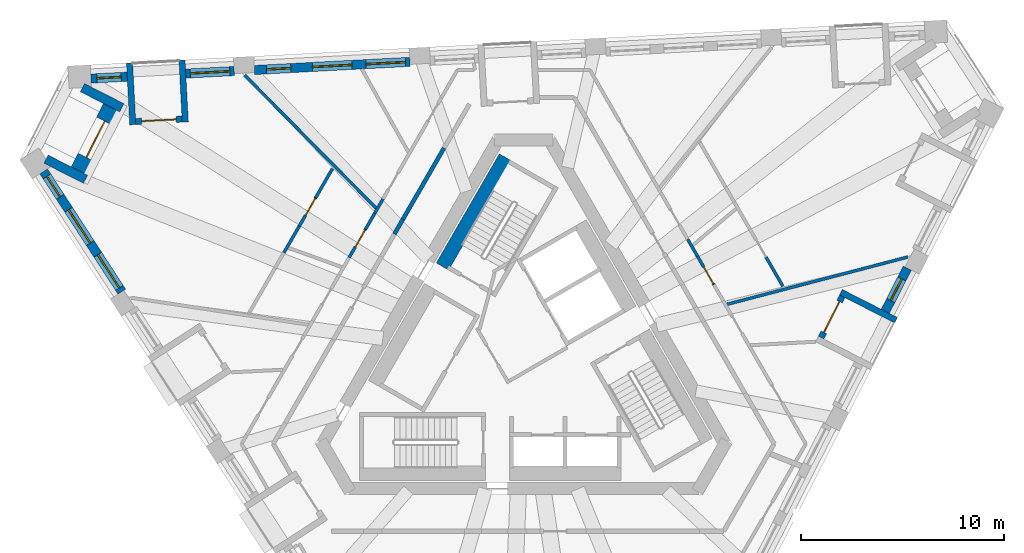
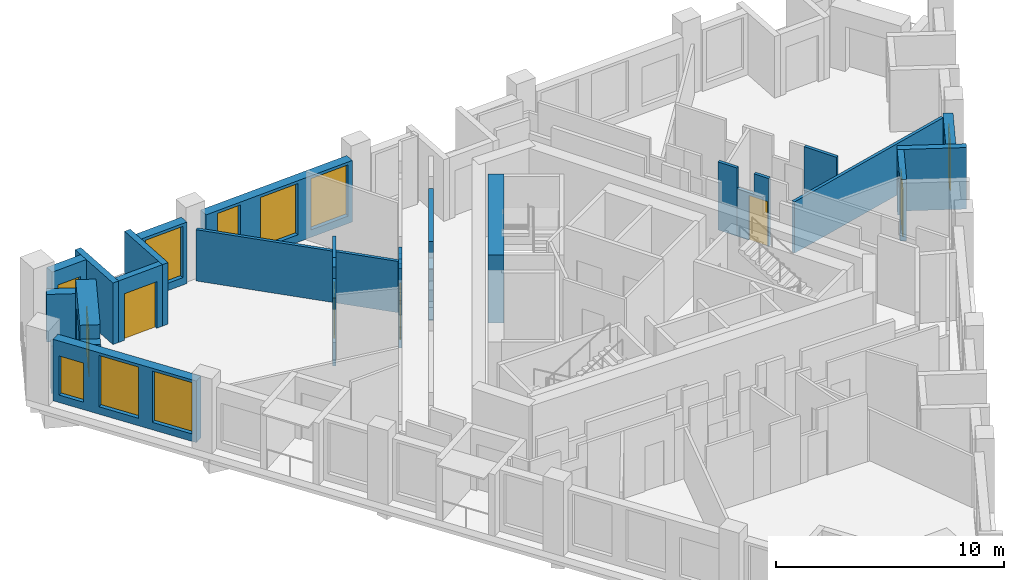
# One storey, part 6 of 12: 27 walls, 9 windows, 6 doors, 15 openings.
"""IFC4 building model written with IfcOpenShell, lengths in metres."""

from ifc_helpers import new_model, si_unit, direction, frame, frame_2d, origin, place, context, subcontext, project, spatial, polyline, rectangle, outline, extrude, material, layer, layer_set, type_object, element, fill, save


model = new_model("IFC4")

# Units and contexts
model_context = context("Model", 3, precision=1e-05, world=origin(), true_north=direction((0.0, 1.0)))
body_context = subcontext(model_context, "Body", "Model", "MODEL_VIEW")
ifc_project = project(units=[si_unit("LENGTHUNIT", "METRE"), si_unit("AREAUNIT", "SQUARE_METRE"), si_unit("VOLUMEUNIT", "CUBIC_METRE"), si_unit("PLANEANGLEUNIT", "RADIAN"), si_unit("MASSUNIT", "GRAM", prefix="KILO")], contexts=[model_context])

# Site, building, storey
site_placement = place(None, origin())
site = spatial("IfcSite", under=ifc_project, at=site_placement, CompositionType="ELEMENT")
building_placement = place(site_placement, origin())
building = spatial("IfcBuilding", under=site, at=building_placement, Name="Tramontana Tower", CompositionType="ELEMENT")
storey_placement = place(building_placement, frame((0.0, 0.0, 278.39990234375)))
storey = spatial("IfcBuildingStorey", under=building, at=storey_placement, Name="L65", CompositionType="ELEMENT", Elevation=278.39990234375)

# Walls
ifc_material_1 = material(Name="Blockwork", Category="masonry")
ifc_layer_1 = layer(ifc_material_1, 0.199951171875)
ifc_layer_set_1 = layer_set([ifc_layer_1], Name="ENTRY WALL 200")
wall_type_1 = type_object("IfcWallType", Name="ENTRY WALL 200", PredefinedType="SOLIDWALL", material=ifc_layer_set_1)
wall_1_placement = place(storey_placement, frame((-6.36328125, 6.07861328125, 0.0), z_axis=(0.0, 0.0, 1.0), x_axis=(0.499950631041, 0.86605390509, 0.0)))
element("IfcWall", 1, at=wall_1_placement, inside=storey, type_object=wall_type_1, Name="Wall v70-ew3-8", PredefinedType="SOLIDWALL", context=body_context, shape_type="SweptSolid", body=[
    extrude(rectangle(XDim=0.83349609375, YDim=0.199951171875, at=frame_2d((0.416748046875, 0.0))), origin(), (0.0, 0.0, 1.0), 2.75),
])
wall_2_placement = place(storey_placement, frame((-5.946533203125, 6.800537109375, 0.0), z_axis=(0.0, 0.0, 1.0), x_axis=(0.500007556608, 0.866021040931, 0.0)))
element("IfcWall", 2, at=wall_2_placement, inside=storey, type_object=wall_type_1, Name="Wall v70-ew3-9", PredefinedType="SOLIDWALL", context=body_context, shape_type="SweptSolid", body=[
    extrude(rectangle(XDim=4.05224609375, YDim=0.199951171875, at=frame_2d((2.026123046875, 0.0))), origin(), (0.0, 0.0, 1.0), 3.650146484375),
])

# Wall, openings, windows
ifc_material_2 = material(Name="Precast concrete 60 MPa", Category="concrete")
ifc_layer_2 = layer(ifc_material_2, 0.449951171875)
ifc_layer_set_2 = layer_set([ifc_layer_2], Name="Precast concrete 60 MPa, 450 mm")
wall_type_2 = type_object("IfcWallType", Name="EW1 Stone-faced precast wall 450", PredefinedType="SOLIDWALL", material=ifc_layer_set_2)
wall_3_placement = place(storey_placement, frame((-23.6259765625, 9.160888671875, 0.0), z_axis=(0.0, 0.0, 1.0), x_axis=(0.54463703186, -0.838671868806, 0.0)))
wall_3 = element("IfcWall", 3, at=wall_3_placement, inside=storey, type_object=wall_type_2, Name="External wall L65 face 0 bay 1", PredefinedType="SOLIDWALL", context=body_context, shape_type="SweptSolid", body=[
    extrude(rectangle(XDim=7.06005859375, YDim=0.449951171875, at=frame_2d((3.530029296875, 0.0))), origin(), (0.0, 0.0, 1.0), 3.300048828125),
])
opening_1_placement = place(wall_3_placement, frame((0.29345703125, 0.0, 0.39990234375)))
opening_1 = element("IfcOpeningElement", 4, at=opening_1_placement, cuts=wall_3, Name="Opening N3L", PredefinedType="OPENING", context=body_context, shape_type="SweptSolid", body=[
    extrude(rectangle(XDim=1.199951171875, YDim=2.10009765625, at=frame_2d((0.60009765625, 1.050048828125))), frame((0.0, 0.23486328125, 0.0), z_axis=(0.0, -1.0, 0.0), x_axis=(1.0, 0.0, 0.0)), (0.0, 0.0, 1.0), 0.469970703125),
])
opening_2_placement = place(wall_3_placement, frame((2.255126953125, 0.0, 0.39990234375)))
opening_2 = element("IfcOpeningElement", 5, at=opening_2_placement, cuts=wall_3, Name="Opening M3", PredefinedType="OPENING", context=body_context, shape_type="SweptSolid", body=[
    extrude(rectangle(XDim=1.949951171875, YDim=2.75, at=frame_2d((0.97509765625, 1.375))), frame((0.0, 0.23486328125, 0.0), z_axis=(0.0, -1.0, 0.0), x_axis=(1.0, 0.0, 0.0)), (0.0, 0.0, 1.0), 0.469970703125),
])
opening_3_placement = place(wall_3_placement, frame((4.891845703125, 0.0, 0.39990234375)))
opening_3 = element("IfcOpeningElement", 6, at=opening_3_placement, cuts=wall_3, Name="Opening M3", PredefinedType="OPENING", context=body_context, shape_type="SweptSolid", body=[
    extrude(rectangle(XDim=1.949951171875, YDim=2.75, at=frame_2d((0.97509765625, 1.375))), frame((0.0, 0.23486328125, 0.0), z_axis=(0.0, -1.0, 0.0), x_axis=(1.0, 0.0, 0.0)), (0.0, 0.0, 1.0), 0.469970703125),
])
ifc_material_3 = material(Name="Aluminum frame, double glazing unit", Category="aluminium")
window_type_1 = type_object("IfcWindowType", Name="M3 Window 1.95 x 2.75", PartitioningType="SINGLE_PANEL", PredefinedType="WINDOW", material=ifc_material_3)
window_1_placement = place(opening_2_placement, origin())
window_1 = element("IfcWindow", 7, at=window_1_placement, inside=storey, type_object=window_type_1, Name="Window M3 L65 face 0 module 2", OverallHeight=2.75, OverallWidth=1.949951171875, PartitioningType="SINGLE_PANEL", PredefinedType="WINDOW", context=body_context, shape_type="SweptSolid", body=[
    extrude(rectangle(XDim=1.949951171875, YDim=2.75, at=frame_2d((0.97509765625, 1.375))), frame((0.0, 0.030029296875, 0.0), z_axis=(0.0, -1.0, 0.0), x_axis=(1.0, 0.0, 0.0)), (0.0, 0.0, 1.0), 0.06005859375),
])
fill(opening_2, window_1)
window_2_placement = place(opening_3_placement, origin())
window_2 = element("IfcWindow", 8, at=window_2_placement, inside=storey, type_object=window_type_1, Name="Window M3 L65 face 0 module 3", OverallHeight=2.75, OverallWidth=1.949951171875, PartitioningType="SINGLE_PANEL", PredefinedType="WINDOW", context=body_context, shape_type="SweptSolid", body=[
    extrude(rectangle(XDim=1.949951171875, YDim=2.75, at=frame_2d((0.97509765625, 1.375))), frame((0.0, 0.030029296875, 0.0), z_axis=(0.0, -1.0, 0.0), x_axis=(1.0, 0.0, 0.0)), (0.0, 0.0, 1.0), 0.06005859375),
])
fill(opening_3, window_2)
ifc_material_4 = material(Name="Aluminum frame, double glazing unit", Category="aluminium")
window_type_2 = type_object("IfcWindowType", Name="N3L Window 1.2 x 2.1", PartitioningType="SINGLE_PANEL", PredefinedType="WINDOW", material=ifc_material_4)
window_3_placement = place(opening_1_placement, origin())
window_3 = element("IfcWindow", 9, at=window_3_placement, inside=storey, type_object=window_type_2, Name="Window N3L L65 face 0 module 1", OverallHeight=2.10009765625, OverallWidth=1.199951171875, PartitioningType="SINGLE_PANEL", PredefinedType="WINDOW", context=body_context, shape_type="SweptSolid", body=[
    extrude(rectangle(XDim=1.199951171875, YDim=2.10009765625, at=frame_2d((0.60009765625, 1.050048828125))), frame((0.0, 0.030029296875, 0.0), z_axis=(0.0, -1.0, 0.0), x_axis=(1.0, 0.0, 0.0)), (0.0, 0.0, 1.0), 0.06005859375),
])
fill(opening_1, window_3)

# Wall, opening, window
wall_4_placement = place(storey_placement, frame((17.796142578125, 2.27197265625, 0.0), z_axis=(0.0, 0.0, 1.0), x_axis=(0.453951830128, 0.891026226283, 0.0)))
wall_4 = element("IfcWall", 10, at=wall_4_placement, inside=storey, type_object=wall_type_2, Name="External wall L65 face 1 bay 4", PredefinedType="SOLIDWALL", context=body_context, shape_type="SweptSolid", body=[
    extrude(rectangle(XDim=2.38671875, YDim=0.449951171875, at=frame_2d((1.193359375, 0.0))), origin(), (0.0, 0.0, 1.0), 3.300048828125),
])
opening_4_placement = place(wall_4_placement, frame((0.59326171875, 0.0, 0.39990234375)))
opening_4 = element("IfcOpeningElement", 11, at=opening_4_placement, cuts=wall_4, Name="Opening N3", PredefinedType="OPENING", context=body_context, shape_type="SweptSolid", body=[
    extrude(rectangle(XDim=1.199951171875, YDim=2.75, at=frame_2d((0.60009765625, 1.375))), frame((0.0, 0.23486328125, 0.0), z_axis=(0.0, -1.0, 0.0), x_axis=(1.0, 0.0, 0.0)), (0.0, 0.0, 1.0), 0.469970703125),
])
ifc_material_5 = material(Name="Aluminum frame, double glazing unit", Category="aluminium")
window_type_3 = type_object("IfcWindowType", Name="N3 Window 1.2 x 2.75", PartitioningType="SINGLE_PANEL", PredefinedType="WINDOW", material=ifc_material_5)
window_4_placement = place(opening_4_placement, origin())
window_4 = element("IfcWindow", 12, at=window_4_placement, inside=storey, type_object=window_type_3, Name="Window N3 L65 face 1 module 12", OverallHeight=2.75, OverallWidth=1.199951171875, PartitioningType="SINGLE_PANEL", PredefinedType="WINDOW", context=body_context, shape_type="SweptSolid", body=[
    extrude(rectangle(XDim=1.199951171875, YDim=2.75, at=frame_2d((0.60009765625, 1.375))), frame((0.0, 0.030029296875, 0.0), z_axis=(0.0, -1.0, 0.0), x_axis=(1.0, 0.0, 0.0)), (0.0, 0.0, 1.0), 0.06005859375),
])
fill(opening_4, window_4)

# Wall, openings, windows
wall_5_placement = place(storey_placement, frame((-5.599365234375, 14.552001953125, 0.0), z_axis=(0.0, 0.0, 1.0), x_axis=(-0.998628023429, -0.052364786088, 0.0)))
wall_5 = element("IfcWall", 13, at=wall_5_placement, inside=storey, type_object=wall_type_2, Name="External wall L65 face 2 bay 4", PredefinedType="SOLIDWALL", context=body_context, shape_type="SweptSolid", body=[
    extrude(rectangle(XDim=7.66015625, YDim=0.449951171875, at=frame_2d((3.830078125, 0.0))), origin(), (0.0, 0.0, 1.0), 3.300048828125),
])
opening_5_placement = place(wall_5_placement, frame((0.21826171875, 0.0, 0.39990234375)))
opening_5 = element("IfcOpeningElement", 14, at=opening_5_placement, cuts=wall_5, Name="Opening M3", PredefinedType="OPENING", context=body_context, shape_type="SweptSolid", body=[
    extrude(rectangle(XDim=1.949951171875, YDim=2.75, at=frame_2d((0.97509765625, 1.375))), frame((0.0, 0.23486328125, 0.0), z_axis=(0.0, -1.0, 0.0), x_axis=(1.0, 0.0, 0.0)), (0.0, 0.0, 1.0), 0.469970703125),
])
opening_6_placement = place(wall_5_placement, frame((2.855224609375, 0.0, 0.39990234375)))
opening_6 = element("IfcOpeningElement", 15, at=opening_6_placement, cuts=wall_5, Name="Opening M3", PredefinedType="OPENING", context=body_context, shape_type="SweptSolid", body=[
    extrude(rectangle(XDim=1.949951171875, YDim=2.75, at=frame_2d((0.97509765625, 1.375))), frame((0.0, 0.23486328125, 0.0), z_axis=(0.0, -1.0, 0.0), x_axis=(1.0, 0.0, 0.0)), (0.0, 0.0, 1.0), 0.469970703125),
])
opening_7_placement = place(wall_5_placement, frame((5.866943359375, 0.0, 0.39990234375)))
opening_7 = element("IfcOpeningElement", 16, at=opening_7_placement, cuts=wall_5, Name="Opening N3", PredefinedType="OPENING", context=body_context, shape_type="SweptSolid", body=[
    extrude(rectangle(XDim=1.199951171875, YDim=2.75, at=frame_2d((0.60009765625, 1.375))), frame((0.0, 0.23486328125, 0.0), z_axis=(0.0, -1.0, 0.0), x_axis=(1.0, 0.0, 0.0)), (0.0, 0.0, 1.0), 0.469970703125),
])
window_5_placement = place(opening_5_placement, origin())
window_5 = element("IfcWindow", 17, at=window_5_placement, inside=storey, type_object=window_type_1, Name="Window M3 L65 face 2 module 10", OverallHeight=2.75, OverallWidth=1.949951171875, PartitioningType="SINGLE_PANEL", PredefinedType="WINDOW", context=body_context, shape_type="SweptSolid", body=[
    extrude(rectangle(XDim=1.949951171875, YDim=2.75, at=frame_2d((0.97509765625, 1.375))), frame((0.0, 0.030029296875, 0.0), z_axis=(0.0, -1.0, 0.0), x_axis=(1.0, 0.0, 0.0)), (0.0, 0.0, 1.0), 0.06005859375),
])
fill(opening_5, window_5)
window_6_placement = place(opening_6_placement, origin())
window_6 = element("IfcWindow", 18, at=window_6_placement, inside=storey, type_object=window_type_1, Name="Window M3 L65 face 2 module 11", OverallHeight=2.75, OverallWidth=1.949951171875, PartitioningType="SINGLE_PANEL", PredefinedType="WINDOW", context=body_context, shape_type="SweptSolid", body=[
    extrude(rectangle(XDim=1.949951171875, YDim=2.75, at=frame_2d((0.97509765625, 1.375))), frame((0.0, 0.030029296875, 0.0), z_axis=(0.0, -1.0, 0.0), x_axis=(1.0, 0.0, 0.0)), (0.0, 0.0, 1.0), 0.06005859375),
])
fill(opening_6, window_6)
window_7_placement = place(opening_7_placement, origin())
window_7 = element("IfcWindow", 19, at=window_7_placement, inside=storey, type_object=window_type_3, Name="Window N3 L65 face 2 module 12", OverallHeight=2.75, OverallWidth=1.199951171875, PartitioningType="SINGLE_PANEL", PredefinedType="WINDOW", context=body_context, shape_type="SweptSolid", body=[
    extrude(rectangle(XDim=1.199951171875, YDim=2.75, at=frame_2d((0.60009765625, 1.375))), frame((0.0, 0.030029296875, 0.0), z_axis=(0.0, -1.0, 0.0), x_axis=(1.0, 0.0, 0.0)), (0.0, 0.0, 1.0), 0.06005859375),
])
fill(opening_7, window_7)

# Wall, opening, window
wall_6_placement = place(storey_placement, frame((-14.247802734375, 14.0986328125, 0.0), z_axis=(0.0, 0.0, 1.0), x_axis=(-0.998627701279, -0.052370929331, 0.0)))
wall_6 = element("IfcWall", 20, at=wall_6_placement, inside=storey, type_object=wall_type_2, Name="External wall L65 face 2 bay 5", PredefinedType="SOLIDWALL", context=body_context, shape_type="SweptSolid", body=[
    extrude(rectangle(XDim=2.38671875, YDim=0.449951171875, at=frame_2d((1.193359375, 0.0))), origin(), (0.0, 0.0, 1.0), 3.300048828125),
])
opening_8_placement = place(wall_6_placement, frame((0.21826171875, 0.0, 0.39990234375)))
opening_8 = element("IfcOpeningElement", 21, at=opening_8_placement, cuts=wall_6, Name="Opening M3", PredefinedType="OPENING", context=body_context, shape_type="SweptSolid", body=[
    extrude(rectangle(XDim=1.949951171875, YDim=2.75, at=frame_2d((0.97509765625, 1.375))), frame((0.0, 0.23486328125, 0.0), z_axis=(0.0, -1.0, 0.0), x_axis=(1.0, 0.0, 0.0)), (0.0, 0.0, 1.0), 0.469970703125),
])
window_8_placement = place(opening_8_placement, origin())
window_8 = element("IfcWindow", 22, at=window_8_placement, inside=storey, type_object=window_type_1, Name="Window M3 L65 face 2 module 13", OverallHeight=2.75, OverallWidth=1.949951171875, PartitioningType="SINGLE_PANEL", PredefinedType="WINDOW", context=body_context, shape_type="SweptSolid", body=[
    extrude(rectangle(XDim=1.949951171875, YDim=2.75, at=frame_2d((0.97509765625, 1.375))), frame((0.0, 0.030029296875, 0.0), z_axis=(0.0, -1.0, 0.0), x_axis=(1.0, 0.0, 0.0)), (0.0, 0.0, 1.0), 0.06005859375),
])
fill(opening_8, window_8)

wall_7_placement = place(storey_placement, frame((-19.51416015625, 13.82275390625, 0.0), z_axis=(0.0, 0.0, 1.0), x_axis=(-0.998629506551, -0.052336494391, 0.0)))
wall_7 = element("IfcWall", 23, at=wall_7_placement, inside=storey, type_object=wall_type_2, Name="External wall L65 face 2 bay 5", PredefinedType="SOLIDWALL", context=body_context, shape_type="SweptSolid", body=[
    extrude(rectangle(XDim=1.78662109375, YDim=0.449951171875, at=frame_2d((0.893310546875, 0.0))), origin(), (0.0, 0.0, 1.0), 3.300048828125),
])
opening_9_placement = place(wall_7_placement, frame((0.29345703125, 0.0, 0.39990234375)))
opening_9 = element("IfcOpeningElement", 24, at=opening_9_placement, cuts=wall_7, Name="Opening N3L", PredefinedType="OPENING", context=body_context, shape_type="SweptSolid", body=[
    extrude(rectangle(XDim=1.199951171875, YDim=2.10009765625, at=frame_2d((0.60009765625, 1.050048828125))), frame((0.0, 0.23486328125, 0.0), z_axis=(0.0, -1.0, 0.0), x_axis=(1.0, 0.0, 0.0)), (0.0, 0.0, 1.0), 0.469970703125),
])
window_9_placement = place(opening_9_placement, origin())
window_9 = element("IfcWindow", 25, at=window_9_placement, inside=storey, type_object=window_type_2, Name="Window N3L L65 face 2 module 15", OverallHeight=2.10009765625, OverallWidth=1.199951171875, PartitioningType="SINGLE_PANEL", PredefinedType="WINDOW", context=body_context, shape_type="SweptSolid", body=[
    extrude(rectangle(XDim=1.199951171875, YDim=2.10009765625, at=frame_2d((0.60009765625, 1.050048828125))), frame((0.0, 0.030029296875, 0.0), z_axis=(0.0, -1.0, 0.0), x_axis=(1.0, 0.0, 0.0)), (0.0, 0.0, 1.0), 0.06005859375),
])
fill(opening_9, window_9)

# Walls
wall_8_placement = place(storey_placement, frame((-23.509765625, 9.76220703125, 0.0), z_axis=(0.0, 0.0, 1.0), x_axis=(0.891041206664, -0.45392242512, 0.0)))
element("IfcWall", 26, at=wall_8_placement, inside=storey, type_object=wall_type_2, Name="Corner loggia side wall L65 K70l", PredefinedType="SOLIDWALL", context=body_context, shape_type="SweptSolid", body=[
    extrude(rectangle(XDim=2.179443359375, YDim=0.449951171875, at=frame_2d((1.08984375, 0.0))), origin(), (0.0, 0.0, 1.0), 2.550048828125),
])
wall_9_placement = place(storey_placement, frame((-21.71630859375, 13.28173828125, 0.0), z_axis=(0.0, 0.0, 1.0), x_axis=(0.890972801346, -0.454056678468, 0.0)))
element("IfcWall", 27, at=wall_9_placement, inside=storey, type_object=wall_type_2, Name="Corner loggia side wall L65 K70r", PredefinedType="SOLIDWALL", context=body_context, shape_type="SweptSolid", body=[
    extrude(rectangle(XDim=2.17919921875, YDim=0.449951171875, at=frame_2d((1.089599609375, 0.0))), origin(), (0.0, 0.0, 1.0), 2.550048828125),
])

# Wall, opening, door
ifc_material_6 = material(Name="Precast concrete 60 MPa", Category="concrete")
ifc_layer_3 = layer(ifc_material_6, 0.89990234375)
ifc_layer_set_3 = layer_set([ifc_layer_3], Name="EW2 Stone-faced corner loggia wall 900")
wall_type_3 = type_object("IfcWallType", Name="EW2 Stone-faced corner loggia wall 900", PredefinedType="SOLIDWALL", material=ifc_layer_set_3)
wall_10_placement = place(storey_placement, frame((-21.86669921875, 9.177734375, 0.0), z_axis=(0.0, 0.0, 1.0), x_axis=(0.453981164527, 0.891011280655, 0.0)))
wall_10 = element("IfcWall", 28, at=wall_10_placement, inside=storey, type_object=wall_type_3, Name="Corner loggia wall L65 K70", PredefinedType="SOLIDWALL", context=body_context, shape_type="SweptSolid", body=[
    extrude(rectangle(XDim=3.499755859375, YDim=0.89990234375, at=frame_2d((1.75, 0.0))), origin(), (0.0, 0.0, 1.0), 3.300048828125),
])
opening_10_placement = place(wall_10_placement, frame((0.75, 0.0, 0.0)))
opening_10 = element("IfcOpeningElement", 29, at=opening_10_placement, cuts=wall_10, Name="Opening BD-70C", PredefinedType="OPENING", context=body_context, shape_type="SweptSolid", body=[
    extrude(rectangle(XDim=2.0, YDim=2.39990234375, at=frame_2d((1.0, 1.199951171875))), frame((0.0, 0.4599609375, 0.0), z_axis=(0.0, -1.0, 0.0), x_axis=(1.0, 0.0, 0.0)), (0.0, 0.0, 1.0), 0.919921875),
])
ifc_material_7 = material(Name="Aluminum frame, double glazing unit", Category="aluminium")
door_type_1 = type_object("IfcDoorType", Name="BC1 Sliding door 2 x 2.4", OperationType="SLIDING_TO_LEFT", PredefinedType="DOOR", material=ifc_material_7)
door_1_placement = place(opening_10_placement, origin())
door_1 = element("IfcDoor", 30, at=door_1_placement, inside=storey, type_object=door_type_1, Name="Corner loggia door L65 K70", OperationType="SLIDING_TO_LEFT", OverallHeight=2.39990234375, OverallWidth=2.0, PredefinedType="DOOR", context=body_context, shape_type="SweptSolid", body=[
    extrude(rectangle(XDim=2.0, YDim=2.39990234375, at=frame_2d((1.0, 1.199951171875))), frame((0.0, 0.02490234375, 0.0), z_axis=(0.0, -1.0, 0.0), x_axis=(1.0, 0.0, 0.0)), (0.0, 0.0, 1.0), 0.050048828125),
])
fill(opening_10, door_1)

ifc_material_8 = material(Name="Precast concrete 60 MPa", Category="concrete")
ifc_layer_4 = layer(ifc_material_8, 0.300048828125)
ifc_layer_set_4 = layer_set([ifc_layer_4], Name="LW1 Stone-faced loggia wall 300")
wall_type_4 = type_object("IfcWallType", Name="LW1 Stone-faced loggia wall 300", PredefinedType="SOLIDWALL", material=ifc_layer_set_4)
wall_11_placement = place(storey_placement, frame((14.63916015625, 0.977294921875, 0.0), z_axis=(0.0, 0.0, 1.0), x_axis=(0.45403292632, 0.890984905494, 0.0)))
wall_11 = element("IfcWall", 31, at=wall_11_placement, inside=storey, type_object=wall_type_4, Name="Loggia wall L65 G7S1.10", PredefinedType="SOLIDWALL", context=body_context, shape_type="SweptSolid", body=[
    extrude(rectangle(XDim=2.286865234375, YDim=0.300048828125, at=frame_2d((1.1435546875, 0.0))), origin(), (0.0, 0.0, 1.0), 3.300048828125),
])
opening_11_placement = place(wall_11_placement, frame((0.29345703125, 0.0, 0.0)))
opening_11 = element("IfcOpeningElement", 32, at=opening_11_placement, cuts=wall_11, Name="Opening BD-7S1-10", PredefinedType="OPENING", context=body_context, shape_type="SweptSolid", body=[
    extrude(rectangle(XDim=1.699951171875, YDim=2.5, at=frame_2d((0.85009765625, 1.25))), frame((0.0, 0.159912109375, 0.0), z_axis=(0.0, -1.0, 0.0), x_axis=(1.0, 0.0, 0.0)), (0.0, 0.0, 1.0), 0.320068359375),
])
ifc_material_9 = material(Name="Aluminum frame, double glazing unit", Category="aluminium")
door_type_2 = type_object("IfcDoorType", Name="BD3 Sliding door 1.7 x 2.5", OperationType="SLIDING_TO_LEFT", PredefinedType="DOOR", material=ifc_material_9)
door_2_placement = place(opening_11_placement, origin())
door_2 = element("IfcDoor", 33, at=door_2_placement, inside=storey, type_object=door_type_2, Name="Loggia door L65 G7S1.10", OperationType="SLIDING_TO_LEFT", OverallHeight=2.5, OverallWidth=1.699951171875, PredefinedType="DOOR", context=body_context, shape_type="SweptSolid", body=[
    extrude(rectangle(XDim=1.699951171875, YDim=2.5, at=frame_2d((0.85009765625, 1.25))), frame((0.0, 0.02490234375, 0.0), z_axis=(0.0, -1.0, 0.0), x_axis=(1.0, 0.0, 0.0)), (0.0, 0.0, 1.0), 0.050048828125),
])
fill(opening_11, door_2)

# Wall
wall_12_placement = place(storey_placement, frame((18.329345703125, 1.831787109375, 0.0), z_axis=(0.0, 0.0, 1.0), x_axis=(-0.890991233495, 0.454020508165, 0.0)))
element("IfcWall", 34, at=wall_12_placement, inside=storey, type_object=wall_type_4, Name="Loggia return L65 G7S1.10b", PredefinedType="SOLIDWALL", context=body_context, shape_type="SweptSolid", body=[
    extrude(rectangle(XDim=3.050048828125, YDim=0.300048828125, at=frame_2d((1.52490234375, 0.0))), origin(), (0.0, 0.0, 1.0), 3.300048828125),
])

# Wall, opening, door
wall_13_placement = place(storey_placement, frame((-16.814453125, 11.736083984375, 0.0), z_axis=(0.0, 0.0, 1.0), x_axis=(-0.998630483018, -0.052317859155, 0.0)))
wall_13 = element("IfcWall", 35, at=wall_13_placement, inside=storey, type_object=wall_type_4, Name="Loggia wall L65 G7S2.13", PredefinedType="SOLIDWALL", context=body_context, shape_type="SweptSolid", body=[
    extrude(rectangle(XDim=2.28662109375, YDim=0.300048828125, at=frame_2d((1.143310546875, 0.0))), origin(), (0.0, 0.0, 1.0), 3.300048828125),
])
opening_12_placement = place(wall_13_placement, frame((0.29345703125, 0.0, 0.0)))
opening_12 = element("IfcOpeningElement", 36, at=opening_12_placement, cuts=wall_13, Name="Opening BD-7S2-13", PredefinedType="OPENING", context=body_context, shape_type="SweptSolid", body=[
    extrude(rectangle(XDim=1.699951171875, YDim=2.5, at=frame_2d((0.85009765625, 1.25))), frame((0.0, 0.159912109375, 0.0), z_axis=(0.0, -1.0, 0.0), x_axis=(1.0, 0.0, 0.0)), (0.0, 0.0, 1.0), 0.320068359375),
])
door_3_placement = place(opening_12_placement, origin())
door_3 = element("IfcDoor", 37, at=door_3_placement, inside=storey, type_object=door_type_2, Name="Loggia door L65 G7S2.13", OperationType="SLIDING_TO_LEFT", OverallHeight=2.5, OverallWidth=1.699951171875, PredefinedType="DOOR", context=body_context, shape_type="SweptSolid", body=[
    extrude(rectangle(XDim=1.699951171875, YDim=2.5, at=frame_2d((0.85009765625, 1.25))), frame((0.0, 0.02490234375, 0.0), z_axis=(0.0, -1.0, 0.0), x_axis=(1.0, 0.0, 0.0)), (0.0, 0.0, 1.0), 0.050048828125),
])
fill(opening_12, door_3)

# Walls
wall_14_placement = place(storey_placement, frame((-16.81640625, 14.639892578125, 0.0), z_axis=(0.0, 0.0, 1.0), x_axis=(0.052352956549, -0.998628643661, 0.0)))
element("IfcWall", 38, at=wall_14_placement, inside=storey, type_object=wall_type_4, Name="Loggia return L65 G7S2.13a", PredefinedType="SOLIDWALL", context=body_context, shape_type="SweptSolid", body=[
    extrude(rectangle(XDim=3.0498046875, YDim=0.300048828125, at=frame_2d((1.52490234375, 0.0))), origin(), (0.0, 0.0, 1.0), 3.300048828125),
])
wall_15_placement = place(storey_placement, frame((-19.399658203125, 14.504638671875, 0.0), z_axis=(0.0, 0.0, 1.0), x_axis=(0.052348771756, -0.99862886304, 0.0)))
element("IfcWall", 39, at=wall_15_placement, inside=storey, type_object=wall_type_4, Name="Loggia return L65 G7S2.13b", PredefinedType="SOLIDWALL", context=body_context, shape_type="SweptSolid", body=[
    extrude(rectangle(XDim=3.050048828125, YDim=0.300048828125, at=frame_2d((1.52490234375, 0.0))), origin(), (0.0, 0.0, 1.0), 3.300048828125),
])

# Wall, opening, door
ifc_material_10 = material(Name="Gypsum board partition")
ifc_layer_5 = layer(ifc_material_10, 0.14990234375)
ifc_layer_set_5 = layer_set([ifc_layer_5], Name="PARTITION 150")
wall_type_5 = type_object("IfcWallType", Name="PARTITION 150", PredefinedType="PARTITIONING", material=ifc_layer_set_5)
wall_16_placement = place(storey_placement, frame((-8.59228515625, 4.917724609375, 0.0), z_axis=(0.0, 0.0, 1.0), x_axis=(0.500005767435, 0.866022073929, 0.0)))
wall_16 = element("IfcWall", 40, at=wall_16_placement, inside=storey, type_object=wall_type_5, Name="Wall v70-pw00-6", PredefinedType="PARTITIONING", context=body_context, shape_type="SweptSolid", body=[
    extrude(outline(polyline([(0.0, 0.0), (1.6162109375, 0.0), (1.615966796875, 3.650146484375), (0.875732421875, 3.650146484375), (0.875732421875, 2.550048828125), (0.0, 2.550048828125), (0.0, 0.0)])), frame((0.0, 0.074951171875, 0.0), z_axis=(0.0, -1.0, 0.0), x_axis=(1.0, 0.0, 0.0)), (0.0, 0.0, 1.0), 0.14990234375),
])
opening_13_placement = place(wall_16_placement, frame((0.615966796875, 0.0, 0.0)))
opening_13 = element("IfcOpeningElement", 41, at=opening_13_placement, cuts=wall_16, Name="Opening B7A-01", PredefinedType="OPENING", context=body_context, shape_type="SweptSolid", body=[
    extrude(rectangle(XDim=0.949951171875, YDim=2.39990234375, at=frame_2d((0.47509765625, 1.199951171875))), frame((0.0, 0.0849609375, 0.0), z_axis=(0.0, -1.0, 0.0), x_axis=(1.0, 0.0, 0.0)), (0.0, 0.0, 1.0), 0.169921875),
])
ifc_material_11 = material(Name="Painted timber", Category="wood")
door_type_3 = type_object("IfcDoorType", Name="DOOR ROOM 950", OperationType="SINGLE_SWING_LEFT", PredefinedType="DOOR", material=ifc_material_11)
door_4_placement = place(opening_13_placement, origin())
door_4 = element("IfcDoor", 42, at=door_4_placement, inside=storey, type_object=door_type_3, Name="Door B7A-01", OperationType="SINGLE_SWING_LEFT", OverallHeight=2.39990234375, OverallWidth=0.949951171875, PredefinedType="DOOR", context=body_context, shape_type="SweptSolid", body=[
    extrude(rectangle(XDim=0.949951171875, YDim=2.39990234375, at=frame_2d((0.47509765625, 1.199951171875))), frame((0.0, 0.02490234375, 0.0), z_axis=(0.0, -1.0, 0.0), x_axis=(1.0, 0.0, 0.0)), (0.0, 0.0, 1.0), 0.050048828125),
])
fill(opening_13, door_4)

# Walls
wall_17_placement = place(storey_placement, frame((-7.7841796875, 6.3173828125, 0.0), z_axis=(0.0, 0.0, 1.0), x_axis=(0.499884784933, 0.866091913016, 0.0)))
element("IfcWall", 43, at=wall_17_placement, inside=storey, type_object=wall_type_5, Name="Wall v70-pw00-7", PredefinedType="PARTITIONING", context=body_context, shape_type="SweptSolid", body=[
    extrude(rectangle(XDim=0.911376953125, YDim=0.14990234375, at=frame_2d((0.45556640625, 0.0))), origin(), (0.0, 0.0, 1.0), 3.650146484375),
])
wall_18_placement = place(storey_placement, frame((-7.32861328125, 7.106689453125, 0.0), z_axis=(0.0, 0.0, 1.0), x_axis=(0.500106313205, 0.865964015126, 0.0)))
element("IfcWall", 44, at=wall_18_placement, inside=storey, type_object=wall_type_5, Name="Wall v70-pw00-8", PredefinedType="PARTITIONING", context=body_context, shape_type="SweptSolid", body=[
    extrude(rectangle(XDim=0.807373046875, YDim=0.14990234375, at=frame_2d((0.40380859375, 0.0))), origin(), (0.0, 0.0, 1.0), 2.75),
])
wall_19_placement = place(storey_placement, frame((-13.736572265625, 13.900146484375, 0.0), z_axis=(0.0, 0.0, 1.0), x_axis=(0.702901092217, -0.711287603266, 0.0)))
element("IfcWall", 45, at=wall_19_placement, inside=storey, type_object=wall_type_5, Name="Wall v70-pw01-0", PredefinedType="PARTITIONING", context=body_context, shape_type="SweptSolid", body=[
    extrude(rectangle(XDim=9.19921875, YDim=0.14990234375, at=frame_2d((4.599609375, 0.0))), origin(), (0.0, 0.0, 1.0), 2.75),
])
wall_20_placement = place(storey_placement, frame((-11.7998046875, 5.162109375, 0.0), z_axis=(0.0, 0.0, 1.0), x_axis=(0.500035089595, 0.866005143849, 0.0)))
element("IfcWall", 46, at=wall_20_placement, inside=storey, type_object=wall_type_5, Name="Wall v70-pw02-3", PredefinedType="PARTITIONING", context=body_context, shape_type="SweptSolid", body=[
    extrude(rectangle(XDim=1.509765625, YDim=0.14990234375, at=frame_2d((0.7548828125, 0.0))), origin(), (0.0, 0.0, 1.0), 3.650146484375),
])

# Wall, opening, door
wall_21_placement = place(storey_placement, frame((-11.044921875, 6.469482421875, 0.0), z_axis=(0.0, 0.0, 1.0), x_axis=(0.499944992379, 0.86605716012, 0.0)))
wall_21 = element("IfcWall", 47, at=wall_21_placement, inside=storey, type_object=wall_type_5, Name="Wall v70-pw02-4", PredefinedType="PARTITIONING", context=body_context, shape_type="SweptSolid", body=[
    extrude(outline(polyline([(0.0, 0.0), (1.614501953125, 0.0), (1.614501953125, 3.650146484375), (0.875732421875, 3.650146484375), (0.875732421875, 2.550048828125), (0.0, 2.550048828125), (0.0, 0.0)])), frame((0.0, 0.074951171875, 0.0), z_axis=(0.0, -1.0, 0.0), x_axis=(1.0, 0.0, 0.0)), (0.0, 0.0, 1.0), 0.14990234375),
])
opening_14_placement = place(wall_21_placement, frame((0.614501953125, 0.0, 0.0)))
opening_14 = element("IfcOpeningElement", 48, at=opening_14_placement, cuts=wall_21, Name="Opening B7A-19", PredefinedType="OPENING", context=body_context, shape_type="SweptSolid", body=[
    extrude(rectangle(XDim=0.949951171875, YDim=2.39990234375, at=frame_2d((0.47509765625, 1.199951171875))), frame((0.0, 0.0849609375, 0.0), z_axis=(0.0, -1.0, 0.0), x_axis=(1.0, 0.0, 0.0)), (0.0, 0.0, 1.0), 0.169921875),
])
door_5_placement = place(opening_14_placement, origin())
door_5 = element("IfcDoor", 49, at=door_5_placement, inside=storey, type_object=door_type_3, Name="Door B7A-19", OperationType="SINGLE_SWING_LEFT", OverallHeight=2.39990234375, OverallWidth=0.949951171875, PredefinedType="DOOR", context=body_context, shape_type="SweptSolid", body=[
    extrude(rectangle(XDim=0.949951171875, YDim=2.39990234375, at=frame_2d((0.47509765625, 1.199951171875))), frame((0.0, 0.02490234375, 0.0), z_axis=(0.0, -1.0, 0.0), x_axis=(1.0, 0.0, 0.0)), (0.0, 0.0, 1.0), 0.050048828125),
])
fill(opening_14, door_5)

# Walls
wall_22_placement = place(storey_placement, frame((-10.23779296875, 7.86767578125, 0.0), z_axis=(0.0, 0.0, 1.0), x_axis=(0.500069669507, 0.865985176339, 0.0)))
element("IfcWall", 50, at=wall_22_placement, inside=storey, type_object=wall_type_5, Name="Wall v70-pw02-5", PredefinedType="PARTITIONING", context=body_context, shape_type="SweptSolid", body=[
    extrude(rectangle(XDim=1.643310546875, YDim=0.14990234375, at=frame_2d((0.82177734375, 0.0))), origin(), (0.0, 0.0, 1.0), 3.650146484375),
])
wall_23_placement = place(storey_placement, frame((8.071044921875, 5.820556640625, 0.0), z_axis=(0.0, 0.0, 1.0), x_axis=(0.500071713487, -0.865983996024, 0.0)))
element("IfcWall", 51, at=wall_23_placement, inside=storey, type_object=wall_type_5, Name="Wall v70-pw18-5", PredefinedType="PARTITIONING", context=body_context, shape_type="SweptSolid", body=[
    extrude(rectangle(XDim=0.968017578125, YDim=0.14990234375, at=frame_2d((0.48388671875, 0.0))), origin(), (0.0, 0.0, 1.0), 3.650146484375),
])

# Wall, opening, door
wall_24_placement = place(storey_placement, frame((8.55517578125, 4.982177734375, 0.0), z_axis=(0.0, 0.0, 1.0), x_axis=(0.499957874332, -0.866049723684, 0.0)))
wall_24 = element("IfcWall", 52, at=wall_24_placement, inside=storey, type_object=wall_type_5, Name="Wall v70-pw18-6", PredefinedType="PARTITIONING", context=body_context, shape_type="SweptSolid", body=[
    extrude(outline(polyline([(0.0, 0.0), (1.615966796875, 0.0), (1.615966796875, 3.650146484375), (0.875732421875, 3.650146484375), (0.875732421875, 2.550048828125), (0.0, 2.550048828125), (0.0, 0.0)])), frame((0.0, 0.074951171875, 0.0), z_axis=(0.0, -1.0, 0.0), x_axis=(1.0, 0.0, 0.0)), (0.0, 0.0, 1.0), 0.14990234375),
])
opening_15_placement = place(wall_24_placement, frame((0.615966796875, 0.0, 0.0)))
opening_15 = element("IfcOpeningElement", 53, at=opening_15_placement, cuts=wall_24, Name="Opening B7A-14", PredefinedType="OPENING", context=body_context, shape_type="SweptSolid", body=[
    extrude(rectangle(XDim=0.949951171875, YDim=2.39990234375, at=frame_2d((0.47509765625, 1.199951171875))), frame((0.0, 0.0849609375, 0.0), z_axis=(0.0, -1.0, 0.0), x_axis=(1.0, 0.0, 0.0)), (0.0, 0.0, 1.0), 0.169921875),
])
door_6_placement = place(opening_15_placement, origin())
door_6 = element("IfcDoor", 54, at=door_6_placement, inside=storey, type_object=door_type_3, Name="Door B7A-14", OperationType="SINGLE_SWING_RIGHT", OverallHeight=2.39990234375, OverallWidth=0.949951171875, PredefinedType="DOOR", context=body_context, shape_type="SweptSolid", body=[
    extrude(rectangle(XDim=0.949951171875, YDim=2.39990234375, at=frame_2d((0.47509765625, 1.199951171875))), frame((0.0, 0.02490234375, 0.0), z_axis=(0.0, -1.0, 0.0), x_axis=(1.0, 0.0, 0.0)), (0.0, 0.0, 1.0), 0.050048828125),
])
fill(opening_15, door_6)

# Walls
wall_25_placement = place(storey_placement, frame((11.9326171875, 4.932373046875, 0.0), z_axis=(0.0, 0.0, 1.0), x_axis=(0.499958243719, -0.866049510442, 0.0)))
element("IfcWall", 55, at=wall_25_placement, inside=storey, type_object=wall_type_5, Name="Wall v70-pw24-5", PredefinedType="PARTITIONING", context=body_context, shape_type="SweptSolid", body=[
    extrude(rectangle(XDim=1.643310546875, YDim=0.14990234375, at=frame_2d((0.82177734375, 0.0))), origin(), (0.0, 0.0, 1.0), 3.650146484375),
])
wall_26_placement = place(storey_placement, frame((10.006591796875, 2.617919921875, 0.0), z_axis=(0.0, 0.0, 1.0), x_axis=(0.967438629988, 0.253105703624, 0.0)))
element("IfcWall", 56, at=wall_26_placement, inside=storey, type_object=wall_type_5, Name="Wall v70-pw25-0", PredefinedType="PARTITIONING", context=body_context, shape_type="SweptSolid", body=[
    extrude(rectangle(XDim=9.19921875, YDim=0.14990234375, at=frame_2d((4.599609375, 0.0))), origin(), (0.0, 0.0, 1.0), 2.75),
])
ifc_material_12 = material(Name="Concrete 70 MPa", Category="concrete")
ifc_layer_6 = layer(ifc_material_12, 0.699951171875)
ifc_layer_set_6 = layer_set([ifc_layer_6], Name="Concrete 70 MPa, 700 mm")
wall_type_6 = type_object("IfcWallType", Name="RC SHAFT BACK WALL 700", PredefinedType="SOLIDWALL", material=ifc_layer_set_6)
wall_27_placement = place(storey_placement, frame((-0.896240234375, 9.847412109375, 0.0), z_axis=(0.0, 0.0, 1.0), x_axis=(-0.500009909098, -0.866019682689, 0.0)))
element("IfcWall", 57, at=wall_27_placement, inside=storey, type_object=wall_type_6, Name="Wall st1-back", PredefinedType="SOLIDWALL", context=body_context, shape_type="SweptSolid", body=[
    extrude(rectangle(XDim=6.199951171875, YDim=0.699951171875, at=frame_2d((3.10009765625, 0.0))), origin(), (0.0, 0.0, 1.0), 3.650146484375),
])

save(model, "model.ifc")
